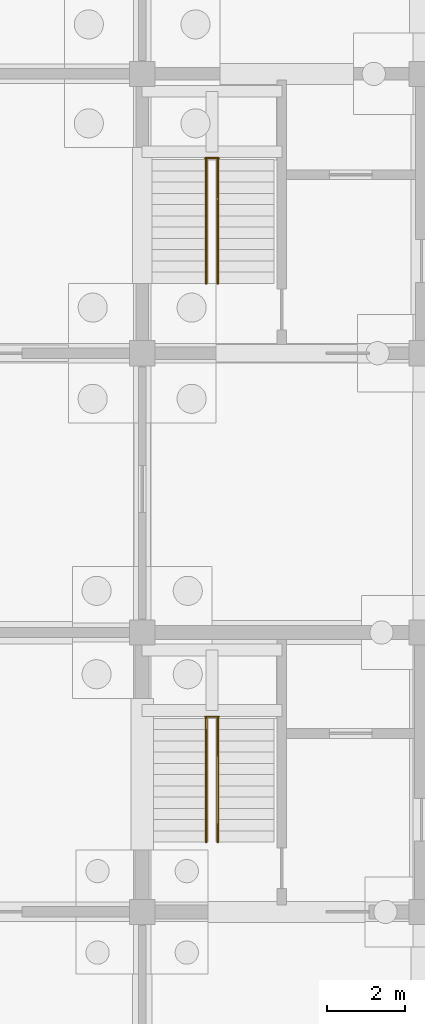
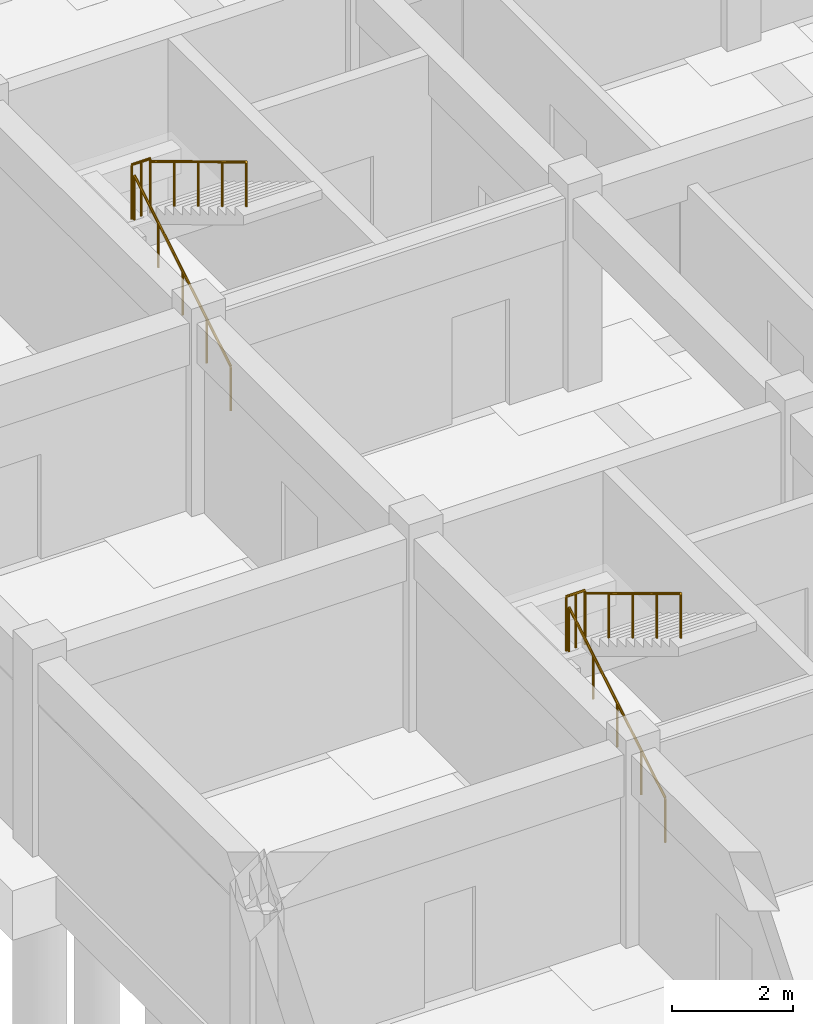
# One storey, part 35 of 38: 6 railings.
"""IFC4 building model written with IfcOpenShell, lengths in metres."""

import ifcopenshell
import ifcopenshell.guid

model = None  # the IFC model being written
_history = None  # IfcOwnerHistory: only IFC2X3 demands one
_inside = {}  # id of a spatial element -> (the spatial element, [elements in it])
_under = {}  # id of a project, library or spatial element -> (it, [spatial elements below it])
_declared = {}  # id of a project -> (the project, [libraries it declares])
_typed = {}  # id of a type object -> (the type object, [elements of that type])
_made_of = {}  # id of a material, layer set ... -> (it, [elements and type objects made of it])


def new_model(schema):
    """Start an empty IFC model of exactly this schema.

    Asked for "IFC4X3", IfcOpenShell would pick the latest addendum, in which some entities
    have other attributes; the version numbers below select the first issue.
    IFC2X3 requires an IfcOwnerHistory on every rooted entity: one is made here for all.
    """
    global model, _history
    if schema == "IFC4X3":
        model = ifcopenshell.file(schema_version=(4, 3, 0, 0))
    else:
        model = ifcopenshell.file(schema=schema)
    _inside.clear()
    _under.clear()
    _declared.clear()
    _typed.clear()
    _made_of.clear()
    _history = None
    if model.schema == "IFC2X3":
        org = make("IfcOrganization", Name="unknown")
        user = make(
            "IfcPersonAndOrganization",
            ThePerson=make("IfcPerson", FamilyName="unknown"),
            TheOrganization=org,
        )
        app = make(
            "IfcApplication",
            ApplicationDeveloper=org,
            Version="unknown",
            ApplicationFullName="unknown",
            ApplicationIdentifier="unknown",
        )
        _history = make(
            "IfcOwnerHistory",
            OwningUser=user,
            OwningApplication=app,
            ChangeAction="ADDED",
            CreationDate=0,
        )
    return model


def make(cls, **values):
    """One entity of the class cls with the attributes given. An attribute that is None is left unset."""
    return model.create_entity(
        cls, **{name: value for name, value in values.items() if value is not None}
    )


def rooted(cls, **values):
    """An entity with a GlobalId (a new one), such as an element, a storey or a relation."""
    return make(cls, GlobalId=ifcopenshell.guid.new(), OwnerHistory=_history, **values)


def si_unit(unit_type, name, prefix=None):
    """IfcSIUnit, for example si_unit("LENGTHUNIT", "METRE", prefix="MILLI")."""
    return make("IfcSIUnit", UnitType=unit_type, Prefix=prefix, Name=name)


def assignment(units):
    """IfcUnitAssignment: the units of a project."""
    return None if units is None else make("IfcUnitAssignment", Units=units)


def point(xyz):
    """IfcCartesianPoint."""
    return None if xyz is None else make("IfcCartesianPoint", Coordinates=xyz)


def direction(xyz):
    """IfcDirection."""
    return None if xyz is None else make("IfcDirection", DirectionRatios=xyz)


def frame(location, z_axis=None, x_axis=None):
    """IfcAxis2Placement3D, a coordinate frame: its origin and axes. An axis left out is left unset."""
    return make(
        "IfcAxis2Placement3D",
        Location=point(location),
        Axis=direction(z_axis),
        RefDirection=direction(x_axis),
    )


def frame_2d(location, x_axis=None):
    """IfcAxis2Placement2D, a coordinate frame in the plane: its origin and x axis."""
    return make(
        "IfcAxis2Placement2D", Location=point(location), RefDirection=direction(x_axis)
    )


def origin():
    """The frame at (0, 0, 0) with its axes left unset."""
    return frame((0.0, 0.0, 0.0))


def origin_2d():
    """The frame at (0, 0) in the plane with its x axis left unset."""
    return frame_2d((0.0, 0.0))


def place(relative_to, where):
    """IfcLocalPlacement: puts the frame where relative to a parent placement (None: the world)."""
    return make(
        "IfcLocalPlacement", PlacementRelTo=relative_to, RelativePlacement=where
    )


def context(
    kind, dimensions, precision=None, world=None, true_north=None, identifier=None
):
    """IfcGeometricRepresentationContext, for example the 3D "Model" context."""
    return make(
        "IfcGeometricRepresentationContext",
        ContextIdentifier=identifier,
        ContextType=kind,
        CoordinateSpaceDimension=dimensions,
        Precision=precision,
        WorldCoordinateSystem=world,
        TrueNorth=true_north,
    )


def subcontext(parent, identifier, kind, view, scale=None):
    """IfcGeometricRepresentationSubContext, for example "Body" below "Model"."""
    return make(
        "IfcGeometricRepresentationSubContext",
        ContextIdentifier=identifier,
        ContextType=kind,
        ParentContext=parent,
        TargetScale=scale,
        TargetView=view,
    )


def project(units=None, contexts=None):
    """IfcProject with its units and contexts."""
    return rooted(
        "IfcProject",
        Name="project",
        RepresentationContexts=contexts,
        UnitsInContext=assignment(units),
    )


def spatial(cls, under=None, at=None, **own):
    """A site, building, storey or space (cls), placed at a placement, below another one or the project."""
    s = rooted(cls, ObjectPlacement=at, **own)
    if under is not None:
        _under.setdefault(under.id(), (under, []))[1].append(s)
    return s


def profile(cls, at=None, kind="AREA", **sizes):
    """A parametric profile (cls). Its sizes go by their IFC names, for example OverallWidth=200.0."""
    return make(cls, ProfileType=kind, Position=at, **sizes)


def circle(**sizes):
    """IfcCircleProfileDef."""
    return profile("IfcCircleProfileDef", **sizes)


def extrude(swept, where, along, depth):
    """IfcExtrudedAreaSolid: the profile swept, set in the frame where, extruded along a direction by depth."""
    return make(
        "IfcExtrudedAreaSolid",
        SweptArea=swept,
        Position=where,
        ExtrudedDirection=direction(along),
        Depth=depth,
    )


def shape(context_of_items, identifier, shape_type, items):
    """IfcShapeRepresentation: the items that make up one representation, for example the "Body"."""
    return make(
        "IfcShapeRepresentation",
        ContextOfItems=context_of_items,
        RepresentationIdentifier=identifier,
        RepresentationType=shape_type,
        Items=items,
    )


def material(Name=None, Category=None):
    """IfcMaterial."""
    return make("IfcMaterial", Name=Name, Category=Category)


def made_of(thing, what):
    """Note that an element or type object is made of a material, layer set ...; save() writes the relation."""
    if what is not None:
        _made_of.setdefault(what.id(), (what, []))[1].append(thing)
    return thing


def type_object(cls, material=None, **own):
    """A type object (cls), such as IfcWallType, which elements share."""
    return made_of(rooted(cls, **own), material)


def element(
    cls,
    number,
    at=None,
    inside=None,
    cuts=None,
    type_object=None,
    material=None,
    context=None,
    identifier="Body",
    shape_type=None,
    held_by="IfcProductDefinitionShape",
    body=None,
    shapes=None,
    **own,
):
    """One element of the class cls, such as IfcWall. Its Tag is "e" and its number.

    at: its placement. inside: the storey or other place that contains it. cuts: it is an
    opening in that element (IfcRelVoidsElement). A single representation is given by context,
    identifier, shape_type and body (its items); several are given by shapes. held_by: the class
    of the entity that holds the representations. save() writes the other relations.
    """
    e = rooted(cls, Tag="e%d" % number, ObjectPlacement=at, **own)
    if body is not None:
        shapes = [shape(context, identifier, shape_type, body)]
    if shapes is not None:
        e.Representation = make(held_by, Representations=shapes)
    if inside is not None:
        _inside.setdefault(inside.id(), (inside, []))[1].append(e)
    if cuts is not None:
        rooted(
            "IfcRelVoidsElement", RelatingBuildingElement=cuts, RelatedOpeningElement=e
        )
    if type_object is not None:
        _typed.setdefault(type_object.id(), (type_object, []))[1].append(e)
    return made_of(e, material)


def aggregate(whole, parts):
    """IfcRelAggregates: a whole, such as a stair, and the parts it consists of."""
    return rooted("IfcRelAggregates", RelatingObject=whole, RelatedObjects=parts)


def save(model, path):
    """Write the relations noted so far, then the file.

    IfcRelAggregates (storeys below a building ...), IfcRelContainedInSpatialStructure (elements
    in a storey), IfcRelDefinesByType, IfcRelAssociatesMaterial and IfcRelDeclares: one each for
    every whole, place, type object, material and project.
    """
    for whole, parts in _under.values():
        aggregate(whole, parts)
    for where, things in _inside.values():
        rooted(
            "IfcRelContainedInSpatialStructure",
            RelatedElements=things,
            RelatingStructure=where,
        )
    for kind, things in _typed.values():
        rooted("IfcRelDefinesByType", RelatedObjects=things, RelatingType=kind)
    for what, things in _made_of.values():
        rooted("IfcRelAssociatesMaterial", RelatedObjects=things, RelatingMaterial=what)
    for by, libraries in _declared.values():
        rooted("IfcRelDeclares", RelatingContext=by, RelatedDefinitions=libraries)
    model.write(path)


model = new_model("IFC4")

# Units and contexts
model_context = context("Model", 3, precision=1e-05, world=origin(), true_north=direction((0.0, 1.0)))
body_context = subcontext(model_context, "Body", "Model", "MODEL_VIEW")
ifc_project = project(units=[si_unit("LENGTHUNIT", "METRE"), si_unit("AREAUNIT", "SQUARE_METRE"), si_unit("VOLUMEUNIT", "CUBIC_METRE"), si_unit("PLANEANGLEUNIT", "RADIAN"), si_unit("MASSUNIT", "GRAM", prefix="KILO"), si_unit("THERMODYNAMICTEMPERATUREUNIT", "KELVIN"), si_unit("POWERUNIT", "WATT")], contexts=[model_context])

# Site, building, storey
site_placement = place(None, origin())
site = spatial("IfcSite", under=ifc_project, at=site_placement, CompositionType="ELEMENT")
building_placement = place(site_placement, origin())
building = spatial("IfcBuilding", under=site, at=building_placement, Name="Tavuni Mirador Residences", CompositionType="ELEMENT")
storey_placement = place(building_placement, frame((0.0, 0.0, -4.199951171875)))
storey = spatial("IfcBuildingStorey", under=building, at=storey_placement, Name="B1", CompositionType="ELEMENT", Elevation=-4.199951171875)

# Railings
ifc_material = material(Name="Structural steel S355", Category="steel")
railing_type_1 = type_object("IfcRailingType", Name="RT-GR1120", PredefinedType="GUARDRAIL", material=ifc_material)
for number, where, name in (
    (1, (12.419921875, 19.429931640625, 2.099853515625), "GRD-HL-ST1-B1"),
    (2, (12.419921875, 33.830078125, 2.099853515625), "GRD-HL-ST2-B1"),
):
    element("IfcRailing", number, at=place(storey_placement, frame(where)), inside=storey, type_object=railing_type_1, Name=name, PredefinedType="GUARDRAIL", context=body_context, shape_type="SweptSolid", body=[
        extrude(circle(Radius=0.02392578125, at=origin_2d()), frame((0.0, 0.0, 1.09619140625), z_axis=(1.0, 0.0, 0.0), x_axis=(0.0, 1.0, 0.0)), (0.0, 0.0, 1.0), 0.360107421875),
        extrude(circle(Radius=0.02099609375, at=origin_2d()), origin(), (0.0, 0.0, 1.0), 1.072021484375),
        extrude(circle(Radius=0.02099609375, at=origin_2d()), frame((0.18017578125, 0.0, 0.0)), (0.0, 0.0, 1.0), 1.072021484375),
        extrude(circle(Radius=0.02099609375, at=origin_2d()), frame((0.360107421875, 0.0, 0.0)), (0.0, 0.0, 1.0), 1.072021484375),
    ])
railing_type_2 = type_object("IfcRailingType", Name="RT-HR920", PredefinedType="HANDRAIL", material=ifc_material)
railing_1_placement = place(storey_placement, frame((12.449951171875, 16.199951171875, 0.175048828125)))
element("IfcRailing", 3, at=railing_1_placement, inside=storey, type_object=railing_type_2, Name="HR-ST1-B1-F1", PredefinedType="HANDRAIL", context=body_context, shape_type="SweptSolid", body=[
    extrude(circle(Radius=0.02392578125, at=origin_2d()), frame((0.0, 0.0, 0.89599609375), z_axis=(0.0, 0.856206652436, 0.516633495163), x_axis=(-1.0, 0.0, 0.0)), (0.0, 0.0, 1.0), 3.7255859375),
    extrude(circle(Radius=0.02099609375, at=origin_2d()), origin(), (0.0, 0.0, 1.0), 0.871826171875),
    extrude(circle(Radius=0.02099609375, at=origin_2d()), frame((0.0, 0.79736328125, 0.481201171875)), (0.0, 0.0, 1.0), 0.871826171875),
    extrude(circle(Radius=0.02099609375, at=origin_2d()), frame((0.0, 1.594970703125, 0.96240234375)), (0.0, 0.0, 1.0), 0.871826171875),
    extrude(circle(Radius=0.02099609375, at=origin_2d()), frame((0.0, 2.392578125, 1.443603515625)), (0.0, 0.0, 1.0), 0.871826171875),
    extrude(circle(Radius=0.02099609375, at=origin_2d()), frame((0.0, 3.18994140625, 1.9248046875)), (0.0, 0.0, 1.0), 0.871826171875),
])
railing_2_placement = place(storey_placement, frame((12.75, 19.389892578125, 2.27490234375)))
element("IfcRailing", 4, at=railing_2_placement, inside=storey, type_object=railing_type_2, Name="HR-ST1-B1-F2", PredefinedType="HANDRAIL", context=body_context, shape_type="SweptSolid", body=[
    extrude(circle(Radius=0.02392578125, at=origin_2d()), frame((0.0, 0.0, 0.89599609375), z_axis=(0.0, -0.856177665481, 0.516681531633), x_axis=(1.0, 0.0, 0.0)), (0.0, 0.0, 1.0), 3.725830078125),
    extrude(circle(Radius=0.02099609375, at=origin_2d()), origin(), (0.0, 0.0, 1.0), 0.871826171875),
    extrude(circle(Radius=0.02099609375, at=origin_2d()), frame((0.0, -0.79736328125, 0.481201171875)), (0.0, 0.0, 1.0), 0.871826171875),
    extrude(circle(Radius=0.02099609375, at=origin_2d()), frame((0.0, -1.594970703125, 0.96240234375)), (0.0, 0.0, 1.0), 0.871826171875),
    extrude(circle(Radius=0.02099609375, at=origin_2d()), frame((0.0, -2.392578125, 1.44384765625)), (0.0, 0.0, 1.0), 0.871826171875),
    extrude(circle(Radius=0.02099609375, at=origin_2d()), frame((0.0, -3.18994140625, 1.925048828125)), (0.0, 0.0, 1.0), 0.871826171875),
])
railing_3_placement = place(storey_placement, frame((12.449951171875, 30.60009765625, 0.175048828125)))
element("IfcRailing", 5, at=railing_3_placement, inside=storey, type_object=railing_type_2, Name="HR-ST2-B1-F1", PredefinedType="HANDRAIL", context=body_context, shape_type="SweptSolid", body=[
    extrude(circle(Radius=0.02392578125, at=origin_2d()), frame((0.0, 0.0, 0.89599609375), z_axis=(0.0, 0.856206652436, 0.516633495163), x_axis=(-1.0, 0.0, 0.0)), (0.0, 0.0, 1.0), 3.7255859375),
    extrude(circle(Radius=0.02099609375, at=origin_2d()), origin(), (0.0, 0.0, 1.0), 0.871826171875),
    extrude(circle(Radius=0.02099609375, at=origin_2d()), frame((0.0, 0.79736328125, 0.481201171875)), (0.0, 0.0, 1.0), 0.871826171875),
    extrude(circle(Radius=0.02099609375, at=origin_2d()), frame((0.0, 1.594970703125, 0.96240234375)), (0.0, 0.0, 1.0), 0.871826171875),
    extrude(circle(Radius=0.02099609375, at=origin_2d()), frame((0.0, 2.392578125, 1.443603515625)), (0.0, 0.0, 1.0), 0.871826171875),
    extrude(circle(Radius=0.02099609375, at=origin_2d()), frame((0.0, 3.18994140625, 1.9248046875)), (0.0, 0.0, 1.0), 0.871826171875),
])
railing_4_placement = place(storey_placement, frame((12.75, 33.7900390625, 2.27490234375)))
element("IfcRailing", 6, at=railing_4_placement, inside=storey, type_object=railing_type_2, Name="HR-ST2-B1-F2", PredefinedType="HANDRAIL", context=body_context, shape_type="SweptSolid", body=[
    extrude(circle(Radius=0.02392578125, at=origin_2d()), frame((0.0, 0.0, 0.89599609375), z_axis=(0.0, -0.856177665481, 0.516681531633), x_axis=(1.0, 0.0, 0.0)), (0.0, 0.0, 1.0), 3.725830078125),
    extrude(circle(Radius=0.02099609375, at=origin_2d()), origin(), (0.0, 0.0, 1.0), 0.871826171875),
    extrude(circle(Radius=0.02099609375, at=origin_2d()), frame((0.0, -0.79736328125, 0.481201171875)), (0.0, 0.0, 1.0), 0.871826171875),
    extrude(circle(Radius=0.02099609375, at=origin_2d()), frame((0.0, -1.594970703125, 0.96240234375)), (0.0, 0.0, 1.0), 0.871826171875),
    extrude(circle(Radius=0.02099609375, at=origin_2d()), frame((0.0, -2.392578125, 1.44384765625)), (0.0, 0.0, 1.0), 0.871826171875),
    extrude(circle(Radius=0.02099609375, at=origin_2d()), frame((0.0, -3.18994140625, 1.925048828125)), (0.0, 0.0, 1.0), 0.871826171875),
])

save(model, "model.ifc")
